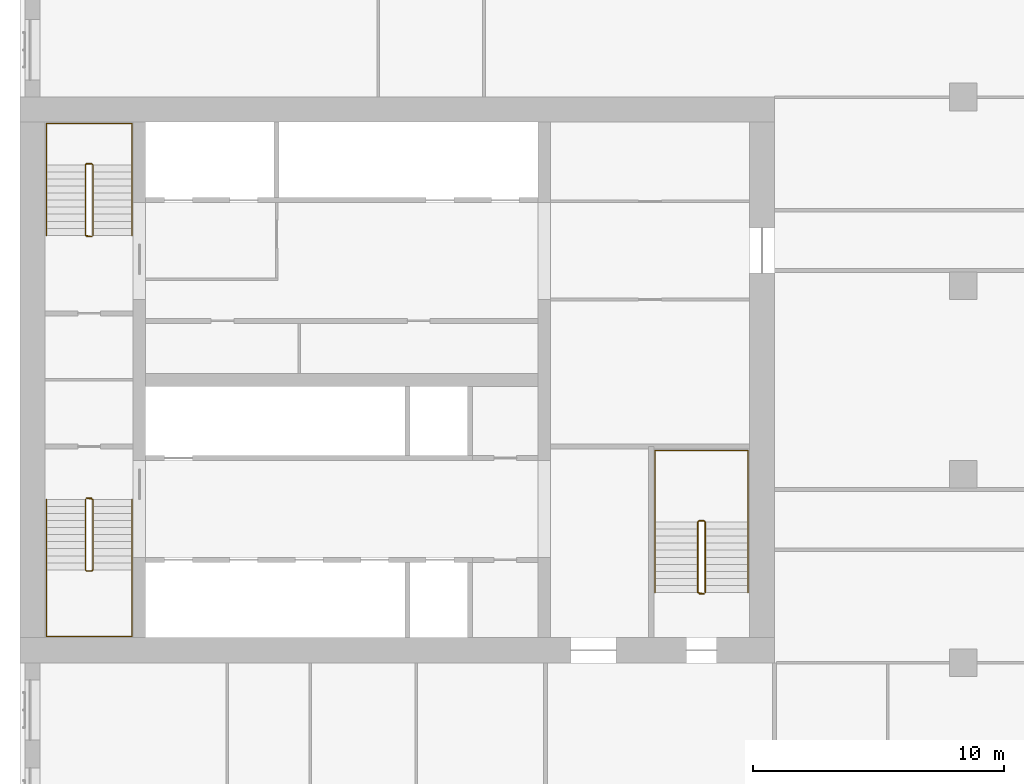
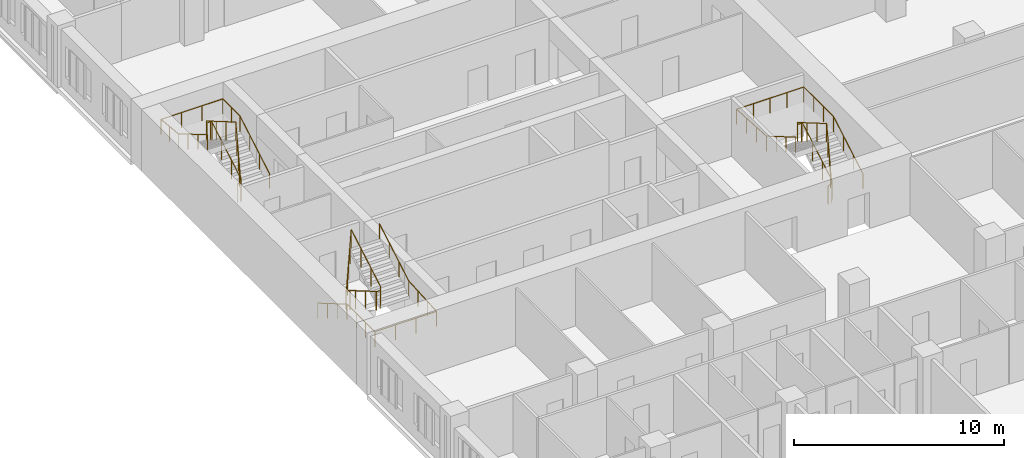
# One storey, part 15 of 15: 6 railings.
"""IFC4 building model written with IfcOpenShell, lengths in metres."""

import ifcopenshell
import ifcopenshell.guid

model = None  # the IFC model being written
_history = None  # IfcOwnerHistory: only IFC2X3 demands one
_inside = {}  # id of a spatial element -> (the spatial element, [elements in it])
_under = {}  # id of a project, library or spatial element -> (it, [spatial elements below it])
_declared = {}  # id of a project -> (the project, [libraries it declares])
_typed = {}  # id of a type object -> (the type object, [elements of that type])
_made_of = {}  # id of a material, layer set ... -> (it, [elements and type objects made of it])


def new_model(schema):
    """Start an empty IFC model of exactly this schema.

    Asked for "IFC4X3", IfcOpenShell would pick the latest addendum, in which some entities
    have other attributes; the version numbers below select the first issue.
    IFC2X3 requires an IfcOwnerHistory on every rooted entity: one is made here for all.
    """
    global model, _history
    if schema == "IFC4X3":
        model = ifcopenshell.file(schema_version=(4, 3, 0, 0))
    else:
        model = ifcopenshell.file(schema=schema)
    _inside.clear()
    _under.clear()
    _declared.clear()
    _typed.clear()
    _made_of.clear()
    _history = None
    if model.schema == "IFC2X3":
        org = make("IfcOrganization", Name="unknown")
        user = make(
            "IfcPersonAndOrganization",
            ThePerson=make("IfcPerson", FamilyName="unknown"),
            TheOrganization=org,
        )
        app = make(
            "IfcApplication",
            ApplicationDeveloper=org,
            Version="unknown",
            ApplicationFullName="unknown",
            ApplicationIdentifier="unknown",
        )
        _history = make(
            "IfcOwnerHistory",
            OwningUser=user,
            OwningApplication=app,
            ChangeAction="ADDED",
            CreationDate=0,
        )
    return model


def make(cls, **values):
    """One entity of the class cls with the attributes given. An attribute that is None is left unset."""
    return model.create_entity(
        cls, **{name: value for name, value in values.items() if value is not None}
    )


def rooted(cls, **values):
    """An entity with a GlobalId (a new one), such as an element, a storey or a relation."""
    return make(cls, GlobalId=ifcopenshell.guid.new(), OwnerHistory=_history, **values)


def si_unit(unit_type, name, prefix=None):
    """IfcSIUnit, for example si_unit("LENGTHUNIT", "METRE", prefix="MILLI")."""
    return make("IfcSIUnit", UnitType=unit_type, Prefix=prefix, Name=name)


def assignment(units):
    """IfcUnitAssignment: the units of a project."""
    return None if units is None else make("IfcUnitAssignment", Units=units)


def point(xyz):
    """IfcCartesianPoint."""
    return None if xyz is None else make("IfcCartesianPoint", Coordinates=xyz)


def direction(xyz):
    """IfcDirection."""
    return None if xyz is None else make("IfcDirection", DirectionRatios=xyz)


def frame(location, z_axis=None, x_axis=None):
    """IfcAxis2Placement3D, a coordinate frame: its origin and axes. An axis left out is left unset."""
    return make(
        "IfcAxis2Placement3D",
        Location=point(location),
        Axis=direction(z_axis),
        RefDirection=direction(x_axis),
    )


def frame_2d(location, x_axis=None):
    """IfcAxis2Placement2D, a coordinate frame in the plane: its origin and x axis."""
    return make(
        "IfcAxis2Placement2D", Location=point(location), RefDirection=direction(x_axis)
    )


def origin():
    """The frame at (0, 0, 0) with its axes left unset."""
    return frame((0.0, 0.0, 0.0))


def origin_2d():
    """The frame at (0, 0) in the plane with its x axis left unset."""
    return frame_2d((0.0, 0.0))


def place(relative_to, where):
    """IfcLocalPlacement: puts the frame where relative to a parent placement (None: the world)."""
    return make(
        "IfcLocalPlacement", PlacementRelTo=relative_to, RelativePlacement=where
    )


def context(
    kind, dimensions, precision=None, world=None, true_north=None, identifier=None
):
    """IfcGeometricRepresentationContext, for example the 3D "Model" context."""
    return make(
        "IfcGeometricRepresentationContext",
        ContextIdentifier=identifier,
        ContextType=kind,
        CoordinateSpaceDimension=dimensions,
        Precision=precision,
        WorldCoordinateSystem=world,
        TrueNorth=true_north,
    )


def subcontext(parent, identifier, kind, view, scale=None):
    """IfcGeometricRepresentationSubContext, for example "Body" below "Model"."""
    return make(
        "IfcGeometricRepresentationSubContext",
        ContextIdentifier=identifier,
        ContextType=kind,
        ParentContext=parent,
        TargetScale=scale,
        TargetView=view,
    )


def project(units=None, contexts=None):
    """IfcProject with its units and contexts."""
    return rooted(
        "IfcProject",
        Name="project",
        RepresentationContexts=contexts,
        UnitsInContext=assignment(units),
    )


def spatial(cls, under=None, at=None, **own):
    """A site, building, storey or space (cls), placed at a placement, below another one or the project."""
    s = rooted(cls, ObjectPlacement=at, **own)
    if under is not None:
        _under.setdefault(under.id(), (under, []))[1].append(s)
    return s


def profile(cls, at=None, kind="AREA", **sizes):
    """A parametric profile (cls). Its sizes go by their IFC names, for example OverallWidth=200.0."""
    return make(cls, ProfileType=kind, Position=at, **sizes)


def circle(**sizes):
    """IfcCircleProfileDef."""
    return profile("IfcCircleProfileDef", **sizes)


def extrude(swept, where, along, depth):
    """IfcExtrudedAreaSolid: the profile swept, set in the frame where, extruded along a direction by depth."""
    return make(
        "IfcExtrudedAreaSolid",
        SweptArea=swept,
        Position=where,
        ExtrudedDirection=direction(along),
        Depth=depth,
    )


def shape(context_of_items, identifier, shape_type, items):
    """IfcShapeRepresentation: the items that make up one representation, for example the "Body"."""
    return make(
        "IfcShapeRepresentation",
        ContextOfItems=context_of_items,
        RepresentationIdentifier=identifier,
        RepresentationType=shape_type,
        Items=items,
    )


def material(Name=None, Category=None):
    """IfcMaterial."""
    return make("IfcMaterial", Name=Name, Category=Category)


def made_of(thing, what):
    """Note that an element or type object is made of a material, layer set ...; save() writes the relation."""
    if what is not None:
        _made_of.setdefault(what.id(), (what, []))[1].append(thing)
    return thing


def type_object(cls, material=None, **own):
    """A type object (cls), such as IfcWallType, which elements share."""
    return made_of(rooted(cls, **own), material)


def element(
    cls,
    number,
    at=None,
    inside=None,
    cuts=None,
    type_object=None,
    material=None,
    context=None,
    identifier="Body",
    shape_type=None,
    held_by="IfcProductDefinitionShape",
    body=None,
    shapes=None,
    **own,
):
    """One element of the class cls, such as IfcWall. Its Tag is "e" and its number.

    at: its placement. inside: the storey or other place that contains it. cuts: it is an
    opening in that element (IfcRelVoidsElement). A single representation is given by context,
    identifier, shape_type and body (its items); several are given by shapes. held_by: the class
    of the entity that holds the representations. save() writes the other relations.
    """
    e = rooted(cls, Tag="e%d" % number, ObjectPlacement=at, **own)
    if body is not None:
        shapes = [shape(context, identifier, shape_type, body)]
    if shapes is not None:
        e.Representation = make(held_by, Representations=shapes)
    if inside is not None:
        _inside.setdefault(inside.id(), (inside, []))[1].append(e)
    if cuts is not None:
        rooted(
            "IfcRelVoidsElement", RelatingBuildingElement=cuts, RelatedOpeningElement=e
        )
    if type_object is not None:
        _typed.setdefault(type_object.id(), (type_object, []))[1].append(e)
    return made_of(e, material)


def aggregate(whole, parts):
    """IfcRelAggregates: a whole, such as a stair, and the parts it consists of."""
    return rooted("IfcRelAggregates", RelatingObject=whole, RelatedObjects=parts)


def save(model, path):
    """Write the relations noted so far, then the file.

    IfcRelAggregates (storeys below a building ...), IfcRelContainedInSpatialStructure (elements
    in a storey), IfcRelDefinesByType, IfcRelAssociatesMaterial and IfcRelDeclares: one each for
    every whole, place, type object, material and project.
    """
    for whole, parts in _under.values():
        aggregate(whole, parts)
    for where, things in _inside.values():
        rooted(
            "IfcRelContainedInSpatialStructure",
            RelatedElements=things,
            RelatingStructure=where,
        )
    for kind, things in _typed.values():
        rooted("IfcRelDefinesByType", RelatedObjects=things, RelatingType=kind)
    for what, things in _made_of.values():
        rooted("IfcRelAssociatesMaterial", RelatedObjects=things, RelatingMaterial=what)
    for by, libraries in _declared.values():
        rooted("IfcRelDeclares", RelatingContext=by, RelatedDefinitions=libraries)
    model.write(path)


model = new_model("IFC4")

# Units and contexts
model_context = context("Model", 3, precision=1e-05, world=origin(), true_north=direction((0.0, 1.0)))
body_context = subcontext(model_context, "Body", "Model", "MODEL_VIEW")
ifc_project = project(units=[si_unit("LENGTHUNIT", "METRE"), si_unit("AREAUNIT", "SQUARE_METRE"), si_unit("VOLUMEUNIT", "CUBIC_METRE"), si_unit("PLANEANGLEUNIT", "RADIAN"), si_unit("MASSUNIT", "GRAM", prefix="KILO")], contexts=[model_context])

# Site, building, storey
site_placement = place(None, origin())
site = spatial("IfcSite", under=ifc_project, at=site_placement, CompositionType="ELEMENT")
building_placement = place(site_placement, origin())
building = spatial("IfcBuilding", under=site, at=building_placement, Name="Tamorin Gate", CompositionType="ELEMENT")
storey_placement = place(building_placement, frame((0.0, 0.0, 111.5)))
storey = spatial("IfcBuildingStorey", under=building, at=storey_placement, Name="L27", CompositionType="ELEMENT", Elevation=111.5)

# Railings
ifc_material_1 = material(Name="Painted steel balustrade", Category="steel")
railing_type_1 = type_object("IfcRailingType", Name="Stair guard 1100", PredefinedType="GUARDRAIL", material=ifc_material_1)
railing_1_placement = place(storey_placement, frame((32.60009765625, 66.5, 0.16357421875)))
element("IfcRailing", 1, at=railing_1_placement, inside=storey, type_object=railing_type_1, Name="L27 ST1 stair guard 1", PredefinedType="GUARDRAIL", context=body_context, shape_type="SweptSolid", body=[
    extrude(circle(Radius=0.02392578125, at=origin_2d()), frame((0.0, 0.0, 1.076171875), z_axis=(0.0, -0.863360870873, 0.504586966384), x_axis=(1.0, 0.0, 0.0)), (0.0, 0.0, 1.0), 3.2431640625),
    extrude(circle(Radius=0.02392578125, at=origin_2d()), frame((0.0, -2.800048828125, 2.71240234375), z_axis=(0.705375805398, -0.708833529934, 0.0), x_axis=(0.708833529934, 0.705375805398, 0.0)), (0.0, 0.0, 1.0), 0.070556640625),
    extrude(circle(Radius=0.02392578125, at=origin_2d()), frame((0.0498046875, -2.85009765625, 2.71240234375), z_axis=(1.0, 0.0, 0.0), x_axis=(0.0, 1.0, 0.0)), (0.0, 0.0, 1.0), 0.2001953125),
    extrude(circle(Radius=0.02392578125, at=origin_2d()), frame((0.25, -2.85009765625, 2.71240234375), z_axis=(0.279546231943, 0.280916556609, 0.91811752648), x_axis=(-0.708833529934, 0.705375805398, 0.0)), (0.0, 0.0, 1.0), 0.17822265625),
    extrude(circle(Radius=0.02392578125, at=origin_2d()), frame((0.2998046875, -2.800048828125, 2.8759765625), z_axis=(0.0, 0.863360870873, 0.504586966384), x_axis=(-1.0, 0.0, 0.0)), (0.0, 0.0, 1.0), 3.2431640625),
    extrude(circle(Radius=0.02392578125, at=origin_2d()), frame((0.2998046875, 0.0, 4.5126953125), z_axis=(-0.069269067181, 0.013867342551, -0.997501625634), x_axis=(-0.196300278283, -0.98054382908, 0.0)), (0.0, 0.0, 1.0), 3.609130859375),
    extrude(circle(Radius=0.02392578125, at=origin_2d()), frame((0.0498046875, 0.050048828125, 0.91259765625), z_axis=(1.0, 0.0, 0.0), x_axis=(0.0, 1.0, 0.0)), (0.0, 0.0, 1.0), 0.2001953125),
    extrude(circle(Radius=0.02099609375, at=origin_2d()), origin(), (0.0, 0.0, 1.0), 1.052001953125),
    extrude(circle(Radius=0.02099609375, at=origin_2d()), frame((0.0, -0.933349609375, 0.54541015625)), (0.0, 0.0, 1.0), 1.052001953125),
    extrude(circle(Radius=0.02099609375, at=origin_2d()), frame((0.0, -1.86669921875, 1.091064453125)), (0.0, 0.0, 1.0), 1.052001953125),
    extrude(circle(Radius=0.02099609375, at=origin_2d()), frame((0.0, -2.800048828125, 1.636474609375)), (0.0, 0.0, 1.0), 1.052001953125),
    extrude(circle(Radius=0.02099609375, at=origin_2d()), frame((0.0498046875, -2.85009765625, 1.636474609375)), (0.0, 0.0, 1.0), 1.052001953125),
    extrude(circle(Radius=0.02099609375, at=origin_2d()), frame((0.25, -2.85009765625, 1.636474609375)), (0.0, 0.0, 1.0), 1.052001953125),
    extrude(circle(Radius=0.02099609375, at=origin_2d()), frame((0.2998046875, -2.800048828125, 1.800048828125)), (0.0, 0.0, 1.0), 1.052001953125),
    extrude(circle(Radius=0.02099609375, at=origin_2d()), frame((0.2998046875, -1.86669921875, 2.345458984375)), (0.0, 0.0, 1.0), 1.052001953125),
    extrude(circle(Radius=0.02099609375, at=origin_2d()), frame((0.2998046875, -0.933349609375, 2.89111328125)), (0.0, 0.0, 1.0), 1.052001953125),
    extrude(circle(Radius=0.02099609375, at=origin_2d()), frame((0.2998046875, 0.0, 3.4365234375)), (0.0, 0.0, 1.0), 1.052001953125),
    extrude(circle(Radius=0.02099609375, at=origin_2d()), frame((0.2373046875, 0.012451171875, 2.53662109375)), (0.0, 0.0, 1.0), 1.052001953125),
    extrude(circle(Radius=0.02099609375, at=origin_2d()), frame((0.1748046875, 0.02490234375, 1.636474609375)), (0.0, 0.0, 1.0), 1.052001953125),
    extrude(circle(Radius=0.02099609375, at=origin_2d()), frame((0.1123046875, 0.03759765625, 0.736328125)), (0.0, 0.0, 1.0), 1.052001953125),
    extrude(circle(Radius=0.02099609375, at=origin_2d()), frame((0.0498046875, 0.050048828125, -0.16357421875)), (0.0, 0.0, 1.0), 1.052001953125),
    extrude(circle(Radius=0.02099609375, at=origin_2d()), frame((0.25, 0.050048828125, -0.16357421875)), (0.0, 0.0, 1.0), 1.052001953125),
])
railing_2_placement = place(storey_placement, frame((32.89990234375, 77.0, 0.16357421875)))
element("IfcRailing", 2, at=railing_2_placement, inside=storey, type_object=railing_type_1, Name="L27 ST2 stair guard 1", PredefinedType="GUARDRAIL", context=body_context, shape_type="SweptSolid", body=[
    extrude(circle(Radius=0.02392578125, at=origin_2d()), frame((0.0, 0.0, 1.076171875), z_axis=(0.0, 0.863360870873, 0.504586966384), x_axis=(-1.0, 0.0, 0.0)), (0.0, 0.0, 1.0), 3.2431640625),
    extrude(circle(Radius=0.02392578125, at=origin_2d()), frame((0.0, 2.800048828125, 2.71240234375), z_axis=(-0.705375805398, 0.708833529934, 0.0), x_axis=(-0.708833529934, -0.705375805398, 0.0)), (0.0, 0.0, 1.0), 0.070556640625),
    extrude(circle(Radius=0.02392578125, at=origin_2d()), frame((-0.0498046875, 2.85009765625, 2.71240234375), z_axis=(-1.0, 0.0, 0.0), x_axis=(0.0, -1.0, 0.0)), (0.0, 0.0, 1.0), 0.2001953125),
    extrude(circle(Radius=0.02392578125, at=origin_2d()), frame((-0.25, 2.85009765625, 2.71240234375), z_axis=(-0.279546231943, -0.280916556609, 0.91811752648), x_axis=(0.708833529934, -0.705375805398, 0.0)), (0.0, 0.0, 1.0), 0.17822265625),
    extrude(circle(Radius=0.02392578125, at=origin_2d()), frame((-0.2998046875, 2.800048828125, 2.8759765625), z_axis=(0.0, -0.863360870873, 0.504586966384), x_axis=(1.0, 0.0, 0.0)), (0.0, 0.0, 1.0), 3.2431640625),
    extrude(circle(Radius=0.02392578125, at=origin_2d()), frame((-0.2998046875, 0.0, 4.5126953125), z_axis=(0.069269067181, -0.013867342551, -0.997501625634), x_axis=(0.196300278283, 0.98054382908, 0.0)), (0.0, 0.0, 1.0), 3.609130859375),
    extrude(circle(Radius=0.02392578125, at=origin_2d()), frame((-0.0498046875, -0.050048828125, 0.91259765625), z_axis=(-1.0, 0.0, 0.0), x_axis=(0.0, -1.0, 0.0)), (0.0, 0.0, 1.0), 0.2001953125),
    extrude(circle(Radius=0.02099609375, at=origin_2d()), origin(), (0.0, 0.0, 1.0), 1.052001953125),
    extrude(circle(Radius=0.02099609375, at=origin_2d()), frame((0.0, 0.933349609375, 0.54541015625)), (0.0, 0.0, 1.0), 1.052001953125),
    extrude(circle(Radius=0.02099609375, at=origin_2d()), frame((0.0, 1.86669921875, 1.091064453125)), (0.0, 0.0, 1.0), 1.052001953125),
    extrude(circle(Radius=0.02099609375, at=origin_2d()), frame((0.0, 2.800048828125, 1.636474609375)), (0.0, 0.0, 1.0), 1.052001953125),
    extrude(circle(Radius=0.02099609375, at=origin_2d()), frame((-0.0498046875, 2.85009765625, 1.636474609375)), (0.0, 0.0, 1.0), 1.052001953125),
    extrude(circle(Radius=0.02099609375, at=origin_2d()), frame((-0.25, 2.85009765625, 1.636474609375)), (0.0, 0.0, 1.0), 1.052001953125),
    extrude(circle(Radius=0.02099609375, at=origin_2d()), frame((-0.2998046875, 2.800048828125, 1.800048828125)), (0.0, 0.0, 1.0), 1.052001953125),
    extrude(circle(Radius=0.02099609375, at=origin_2d()), frame((-0.2998046875, 1.86669921875, 2.345458984375)), (0.0, 0.0, 1.0), 1.052001953125),
    extrude(circle(Radius=0.02099609375, at=origin_2d()), frame((-0.2998046875, 0.933349609375, 2.89111328125)), (0.0, 0.0, 1.0), 1.052001953125),
    extrude(circle(Radius=0.02099609375, at=origin_2d()), frame((-0.2998046875, 0.0, 3.4365234375)), (0.0, 0.0, 1.0), 1.052001953125),
    extrude(circle(Radius=0.02099609375, at=origin_2d()), frame((-0.2373046875, -0.012451171875, 2.53662109375)), (0.0, 0.0, 1.0), 1.052001953125),
    extrude(circle(Radius=0.02099609375, at=origin_2d()), frame((-0.1748046875, -0.02490234375, 1.636474609375)), (0.0, 0.0, 1.0), 1.052001953125),
    extrude(circle(Radius=0.02099609375, at=origin_2d()), frame((-0.1123046875, -0.03759765625, 0.736328125)), (0.0, 0.0, 1.0), 1.052001953125),
    extrude(circle(Radius=0.02099609375, at=origin_2d()), frame((-0.0498046875, -0.050048828125, -0.16357421875)), (0.0, 0.0, 1.0), 1.052001953125),
    extrude(circle(Radius=0.02099609375, at=origin_2d()), frame((-0.25, -0.050048828125, -0.16357421875)), (0.0, 0.0, 1.0), 1.052001953125),
])
railing_3_placement = place(storey_placement, frame((57.25, 62.800048828125, 0.16357421875)))
element("IfcRailing", 3, at=railing_3_placement, inside=storey, type_object=railing_type_1, Name="L27 ST3 stair guard 1", PredefinedType="GUARDRAIL", context=body_context, shape_type="SweptSolid", body=[
    extrude(circle(Radius=0.02392578125, at=origin_2d()), frame((0.0, 0.0, 1.076171875), z_axis=(0.0, 0.863360870873, 0.504586966384), x_axis=(-1.0, 0.0, 0.0)), (0.0, 0.0, 1.0), 3.2431640625),
    extrude(circle(Radius=0.02392578125, at=origin_2d()), frame((0.0, 2.800048828125, 2.71240234375), z_axis=(-0.708833529934, 0.705375805398, 0.0), x_axis=(-0.705375805398, -0.708833529934, 0.0)), (0.0, 0.0, 1.0), 0.070556640625),
    extrude(circle(Radius=0.02392578125, at=origin_2d()), frame((-0.050048828125, 2.849853515625, 2.71240234375), z_axis=(-1.0, 0.0, 0.0), x_axis=(0.0, -1.0, 0.0)), (0.0, 0.0, 1.0), 0.199951171875),
    extrude(circle(Radius=0.02392578125, at=origin_2d()), frame((-0.25, 2.849853515625, 2.71240234375), z_axis=(-0.280916556609, -0.279546231943, 0.91811752648), x_axis=(0.705375805398, -0.708833529934, 0.0)), (0.0, 0.0, 1.0), 0.17822265625),
    extrude(circle(Radius=0.02392578125, at=origin_2d()), frame((-0.300048828125, 2.800048828125, 2.8759765625), z_axis=(0.0, -0.863360870873, 0.504586966384), x_axis=(1.0, 0.0, 0.0)), (0.0, 0.0, 1.0), 3.2431640625),
    extrude(circle(Radius=0.02392578125, at=origin_2d()), frame((-0.300048828125, 0.0, 4.5126953125), z_axis=(0.069269067181, -0.013867342551, -0.997501625634), x_axis=(0.196300278283, 0.98054382908, 0.0)), (0.0, 0.0, 1.0), 3.609130859375),
    extrude(circle(Radius=0.02392578125, at=origin_2d()), frame((-0.050048828125, -0.050048828125, 0.91259765625), z_axis=(-1.0, 0.0, 0.0), x_axis=(0.0, -1.0, 0.0)), (0.0, 0.0, 1.0), 0.199951171875),
    extrude(circle(Radius=0.02099609375, at=origin_2d()), origin(), (0.0, 0.0, 1.0), 1.052001953125),
    extrude(circle(Radius=0.02099609375, at=origin_2d()), frame((0.0, 0.933349609375, 0.54541015625)), (0.0, 0.0, 1.0), 1.052001953125),
    extrude(circle(Radius=0.02099609375, at=origin_2d()), frame((0.0, 1.86669921875, 1.091064453125)), (0.0, 0.0, 1.0), 1.052001953125),
    extrude(circle(Radius=0.02099609375, at=origin_2d()), frame((0.0, 2.800048828125, 1.636474609375)), (0.0, 0.0, 1.0), 1.052001953125),
    extrude(circle(Radius=0.02099609375, at=origin_2d()), frame((-0.050048828125, 2.849853515625, 1.636474609375)), (0.0, 0.0, 1.0), 1.052001953125),
    extrude(circle(Radius=0.02099609375, at=origin_2d()), frame((-0.25, 2.849853515625, 1.636474609375)), (0.0, 0.0, 1.0), 1.052001953125),
    extrude(circle(Radius=0.02099609375, at=origin_2d()), frame((-0.300048828125, 2.800048828125, 1.800048828125)), (0.0, 0.0, 1.0), 1.052001953125),
    extrude(circle(Radius=0.02099609375, at=origin_2d()), frame((-0.300048828125, 1.86669921875, 2.345458984375)), (0.0, 0.0, 1.0), 1.052001953125),
    extrude(circle(Radius=0.02099609375, at=origin_2d()), frame((-0.300048828125, 0.933349609375, 2.89111328125)), (0.0, 0.0, 1.0), 1.052001953125),
    extrude(circle(Radius=0.02099609375, at=origin_2d()), frame((-0.300048828125, 0.0, 3.4365234375)), (0.0, 0.0, 1.0), 1.052001953125),
    extrude(circle(Radius=0.02099609375, at=origin_2d()), frame((-0.237548828125, -0.012451171875, 2.53662109375)), (0.0, 0.0, 1.0), 1.052001953125),
    extrude(circle(Radius=0.02099609375, at=origin_2d()), frame((-0.175048828125, -0.02490234375, 1.636474609375)), (0.0, 0.0, 1.0), 1.052001953125),
    extrude(circle(Radius=0.02099609375, at=origin_2d()), frame((-0.112548828125, -0.03759765625, 0.736328125)), (0.0, 0.0, 1.0), 1.052001953125),
    extrude(circle(Radius=0.02099609375, at=origin_2d()), frame((-0.050048828125, -0.050048828125, -0.16357421875)), (0.0, 0.0, 1.0), 1.052001953125),
    extrude(circle(Radius=0.02099609375, at=origin_2d()), frame((-0.25, -0.050048828125, -0.16357421875)), (0.0, 0.0, 1.0), 1.052001953125),
])
ifc_material_2 = material(Name="Painted steel handrail", Category="steel")
railing_type_2 = type_object("IfcRailingType", Name="Stair handrail 900", PredefinedType="HANDRAIL", material=ifc_material_2)
railing_4_placement = place(storey_placement, frame((31.050048828125, 66.5, 0.16357421875)))
element("IfcRailing", 4, at=railing_4_placement, inside=storey, type_object=railing_type_2, Name="L27 ST1 stair handrail 1", PredefinedType="HANDRAIL", context=body_context, shape_type="SweptSolid", body=[
    extrude(circle(Radius=0.02392578125, at=origin_2d()), frame((0.0, 0.0, 0.8759765625), z_axis=(0.0, -0.863360870873, 0.504586966384), x_axis=(1.0, 0.0, 0.0)), (0.0, 0.0, 1.0), 3.2431640625),
    extrude(circle(Radius=0.02392578125, at=origin_2d()), frame((0.0, -2.800048828125, 2.51220703125), z_axis=(0.0, -1.0, 0.0), x_axis=(1.0, 0.0, 0.0)), (0.0, 0.0, 1.0), 2.64990234375),
    extrude(circle(Radius=0.02392578125, at=origin_2d()), frame((0.0, -5.449951171875, 2.51220703125), z_axis=(1.0, 0.0, 0.0), x_axis=(0.0, 1.0, 0.0)), (0.0, 0.0, 1.0), 3.39990234375),
    extrude(circle(Radius=0.02392578125, at=origin_2d()), frame((3.39990234375, -5.449951171875, 2.51220703125), z_axis=(0.0, 0.998100230056, 0.061611125312), x_axis=(-1.0, 0.0, 0.0)), (0.0, 0.0, 1.0), 2.655029296875),
    extrude(circle(Radius=0.02392578125, at=origin_2d()), frame((3.39990234375, -2.800048828125, 2.67578125), z_axis=(0.0, 0.863360870873, 0.504586966384), x_axis=(-1.0, 0.0, 0.0)), (0.0, 0.0, 1.0), 3.2431640625),
    extrude(circle(Radius=0.02099609375, at=origin_2d()), origin(), (0.0, 0.0, 1.0), 0.851806640625),
    extrude(circle(Radius=0.02099609375, at=origin_2d()), frame((0.0, -0.933349609375, 0.54541015625)), (0.0, 0.0, 1.0), 0.851806640625),
    extrude(circle(Radius=0.02099609375, at=origin_2d()), frame((0.0, -1.86669921875, 1.091064453125)), (0.0, 0.0, 1.0), 0.851806640625),
    extrude(circle(Radius=0.02099609375, at=origin_2d()), frame((0.0, -2.800048828125, 1.636474609375)), (0.0, 0.0, 1.0), 0.851806640625),
    extrude(circle(Radius=0.02099609375, at=origin_2d()), frame((0.0, -3.683349609375, 1.636474609375)), (0.0, 0.0, 1.0), 0.851806640625),
    extrude(circle(Radius=0.02099609375, at=origin_2d()), frame((0.0, -4.566650390625, 1.636474609375)), (0.0, 0.0, 1.0), 0.851806640625),
    extrude(circle(Radius=0.02099609375, at=origin_2d()), frame((0.0, -5.449951171875, 1.636474609375)), (0.0, 0.0, 1.0), 0.851806640625),
    extrude(circle(Radius=0.02099609375, at=origin_2d()), frame((1.13330078125, -5.449951171875, 1.636474609375)), (0.0, 0.0, 1.0), 0.851806640625),
    extrude(circle(Radius=0.02099609375, at=origin_2d()), frame((2.2666015625, -5.449951171875, 1.636474609375)), (0.0, 0.0, 1.0), 0.851806640625),
    extrude(circle(Radius=0.02099609375, at=origin_2d()), frame((3.39990234375, -5.449951171875, 1.636474609375)), (0.0, 0.0, 1.0), 0.851806640625),
    extrude(circle(Radius=0.02099609375, at=origin_2d()), frame((3.39990234375, -4.566650390625, 1.69091796875)), (0.0, 0.0, 1.0), 0.851806640625),
    extrude(circle(Radius=0.02099609375, at=origin_2d()), frame((3.39990234375, -3.683349609375, 1.74560546875)), (0.0, 0.0, 1.0), 0.851806640625),
    extrude(circle(Radius=0.02099609375, at=origin_2d()), frame((3.39990234375, -2.800048828125, 1.800048828125)), (0.0, 0.0, 1.0), 0.851806640625),
    extrude(circle(Radius=0.02099609375, at=origin_2d()), frame((3.39990234375, -1.86669921875, 2.345458984375)), (0.0, 0.0, 1.0), 0.851806640625),
    extrude(circle(Radius=0.02099609375, at=origin_2d()), frame((3.39990234375, -0.933349609375, 2.89111328125)), (0.0, 0.0, 1.0), 0.851806640625),
    extrude(circle(Radius=0.02099609375, at=origin_2d()), frame((3.39990234375, 0.0, 3.4365234375)), (0.0, 0.0, 1.0), 0.851806640625),
])
railing_5_placement = place(storey_placement, frame((34.449951171875, 77.0, 0.16357421875)))
element("IfcRailing", 5, at=railing_5_placement, inside=storey, type_object=railing_type_2, Name="L27 ST2 stair handrail 1", PredefinedType="HANDRAIL", context=body_context, shape_type="SweptSolid", body=[
    extrude(circle(Radius=0.02392578125, at=origin_2d()), frame((0.0, 0.0, 0.8759765625), z_axis=(0.0, 0.863360870873, 0.504586966384), x_axis=(-1.0, 0.0, 0.0)), (0.0, 0.0, 1.0), 3.2431640625),
    extrude(circle(Radius=0.02392578125, at=origin_2d()), frame((0.0, 2.800048828125, 2.51220703125), z_axis=(0.0, 1.0, 0.0), x_axis=(-1.0, 0.0, 0.0)), (0.0, 0.0, 1.0), 1.64990234375),
    extrude(circle(Radius=0.02392578125, at=origin_2d()), frame((0.0, 4.449951171875, 2.51220703125), z_axis=(-1.0, 0.0, 0.0), x_axis=(0.0, -1.0, 0.0)), (0.0, 0.0, 1.0), 3.39990234375),
    extrude(circle(Radius=0.02392578125, at=origin_2d()), frame((-3.39990234375, 4.449951171875, 2.51220703125), z_axis=(0.0, -0.995121390814, 0.098658084026), x_axis=(1.0, 0.0, 0.0)), (0.0, 0.0, 1.0), 1.657958984375),
    extrude(circle(Radius=0.02392578125, at=origin_2d()), frame((-3.39990234375, 2.800048828125, 2.67578125), z_axis=(0.0, -0.863360870873, 0.504586966384), x_axis=(1.0, 0.0, 0.0)), (0.0, 0.0, 1.0), 3.2431640625),
    extrude(circle(Radius=0.02099609375, at=origin_2d()), origin(), (0.0, 0.0, 1.0), 0.851806640625),
    extrude(circle(Radius=0.02099609375, at=origin_2d()), frame((0.0, 0.933349609375, 0.54541015625)), (0.0, 0.0, 1.0), 0.851806640625),
    extrude(circle(Radius=0.02099609375, at=origin_2d()), frame((0.0, 1.86669921875, 1.091064453125)), (0.0, 0.0, 1.0), 0.851806640625),
    extrude(circle(Radius=0.02099609375, at=origin_2d()), frame((0.0, 2.800048828125, 1.636474609375)), (0.0, 0.0, 1.0), 0.851806640625),
    extrude(circle(Radius=0.02099609375, at=origin_2d()), frame((0.0, 3.625, 1.636474609375)), (0.0, 0.0, 1.0), 0.851806640625),
    extrude(circle(Radius=0.02099609375, at=origin_2d()), frame((0.0, 4.449951171875, 1.636474609375)), (0.0, 0.0, 1.0), 0.851806640625),
    extrude(circle(Radius=0.02099609375, at=origin_2d()), frame((-1.13330078125, 4.449951171875, 1.636474609375)), (0.0, 0.0, 1.0), 0.851806640625),
    extrude(circle(Radius=0.02099609375, at=origin_2d()), frame((-2.2666015625, 4.449951171875, 1.636474609375)), (0.0, 0.0, 1.0), 0.851806640625),
    extrude(circle(Radius=0.02099609375, at=origin_2d()), frame((-3.39990234375, 4.449951171875, 1.636474609375)), (0.0, 0.0, 1.0), 0.851806640625),
    extrude(circle(Radius=0.02099609375, at=origin_2d()), frame((-3.39990234375, 3.625, 1.71826171875)), (0.0, 0.0, 1.0), 0.851806640625),
    extrude(circle(Radius=0.02099609375, at=origin_2d()), frame((-3.39990234375, 2.800048828125, 1.800048828125)), (0.0, 0.0, 1.0), 0.851806640625),
    extrude(circle(Radius=0.02099609375, at=origin_2d()), frame((-3.39990234375, 1.86669921875, 2.345458984375)), (0.0, 0.0, 1.0), 0.851806640625),
    extrude(circle(Radius=0.02099609375, at=origin_2d()), frame((-3.39990234375, 0.933349609375, 2.89111328125)), (0.0, 0.0, 1.0), 0.851806640625),
    extrude(circle(Radius=0.02099609375, at=origin_2d()), frame((-3.39990234375, 0.0, 3.4365234375)), (0.0, 0.0, 1.0), 0.851806640625),
])
railing_6_placement = place(storey_placement, frame((58.949951171875, 62.800048828125, 0.16357421875)))
element("IfcRailing", 6, at=railing_6_placement, inside=storey, type_object=railing_type_2, Name="L27 ST3 stair handrail 1", PredefinedType="HANDRAIL", context=body_context, shape_type="SweptSolid", body=[
    extrude(circle(Radius=0.02392578125, at=origin_2d()), frame((0.0, 0.0, 0.8759765625), z_axis=(0.0, 0.863360870873, 0.504586966384), x_axis=(-1.0, 0.0, 0.0)), (0.0, 0.0, 1.0), 3.2431640625),
    extrude(circle(Radius=0.02392578125, at=origin_2d()), frame((0.0, 2.800048828125, 2.51220703125), z_axis=(0.0, 1.0, 0.0), x_axis=(-1.0, 0.0, 0.0)), (0.0, 0.0, 1.0), 2.849853515625),
    extrude(circle(Radius=0.02392578125, at=origin_2d()), frame((0.0, 5.64990234375, 2.51220703125), z_axis=(-1.0, 0.0, 0.0), x_axis=(0.0, -1.0, 0.0)), (0.0, 0.0, 1.0), 3.699951171875),
    extrude(circle(Radius=0.02392578125, at=origin_2d()), frame((-3.699951171875, 5.64990234375, 2.51220703125), z_axis=(0.0, -0.998356827416, 0.057303098978), x_axis=(1.0, 0.0, 0.0)), (0.0, 0.0, 1.0), 2.8544921875),
    extrude(circle(Radius=0.02392578125, at=origin_2d()), frame((-3.699951171875, 2.800048828125, 2.67578125), z_axis=(0.0, -0.863360870873, 0.504586966384), x_axis=(1.0, 0.0, 0.0)), (0.0, 0.0, 1.0), 3.2431640625),
    extrude(circle(Radius=0.02099609375, at=origin_2d()), origin(), (0.0, 0.0, 1.0), 0.851806640625),
    extrude(circle(Radius=0.02099609375, at=origin_2d()), frame((0.0, 0.933349609375, 0.54541015625)), (0.0, 0.0, 1.0), 0.851806640625),
    extrude(circle(Radius=0.02099609375, at=origin_2d()), frame((0.0, 1.86669921875, 1.091064453125)), (0.0, 0.0, 1.0), 0.851806640625),
    extrude(circle(Radius=0.02099609375, at=origin_2d()), frame((0.0, 2.800048828125, 1.636474609375)), (0.0, 0.0, 1.0), 0.851806640625),
    extrude(circle(Radius=0.02099609375, at=origin_2d()), frame((0.0, 3.75, 1.636474609375)), (0.0, 0.0, 1.0), 0.851806640625),
    extrude(circle(Radius=0.02099609375, at=origin_2d()), frame((0.0, 4.699951171875, 1.636474609375)), (0.0, 0.0, 1.0), 0.851806640625),
    extrude(circle(Radius=0.02099609375, at=origin_2d()), frame((0.0, 5.64990234375, 1.636474609375)), (0.0, 0.0, 1.0), 0.851806640625),
    extrude(circle(Radius=0.02099609375, at=origin_2d()), frame((-0.925048828125, 5.64990234375, 1.636474609375)), (0.0, 0.0, 1.0), 0.851806640625),
    extrude(circle(Radius=0.02099609375, at=origin_2d()), frame((-1.85009765625, 5.64990234375, 1.636474609375)), (0.0, 0.0, 1.0), 0.851806640625),
    extrude(circle(Radius=0.02099609375, at=origin_2d()), frame((-2.77490234375, 5.64990234375, 1.636474609375)), (0.0, 0.0, 1.0), 0.851806640625),
    extrude(circle(Radius=0.02099609375, at=origin_2d()), frame((-3.699951171875, 5.64990234375, 1.636474609375)), (0.0, 0.0, 1.0), 0.851806640625),
    extrude(circle(Radius=0.02099609375, at=origin_2d()), frame((-3.699951171875, 4.699951171875, 1.69091796875)), (0.0, 0.0, 1.0), 0.851806640625),
    extrude(circle(Radius=0.02099609375, at=origin_2d()), frame((-3.699951171875, 3.75, 1.74560546875)), (0.0, 0.0, 1.0), 0.851806640625),
    extrude(circle(Radius=0.02099609375, at=origin_2d()), frame((-3.699951171875, 2.800048828125, 1.800048828125)), (0.0, 0.0, 1.0), 0.851806640625),
    extrude(circle(Radius=0.02099609375, at=origin_2d()), frame((-3.699951171875, 1.86669921875, 2.345458984375)), (0.0, 0.0, 1.0), 0.851806640625),
    extrude(circle(Radius=0.02099609375, at=origin_2d()), frame((-3.699951171875, 0.933349609375, 2.89111328125)), (0.0, 0.0, 1.0), 0.851806640625),
    extrude(circle(Radius=0.02099609375, at=origin_2d()), frame((-3.699951171875, 0.0, 3.4365234375)), (0.0, 0.0, 1.0), 0.851806640625),
])

save(model, "model.ifc")
